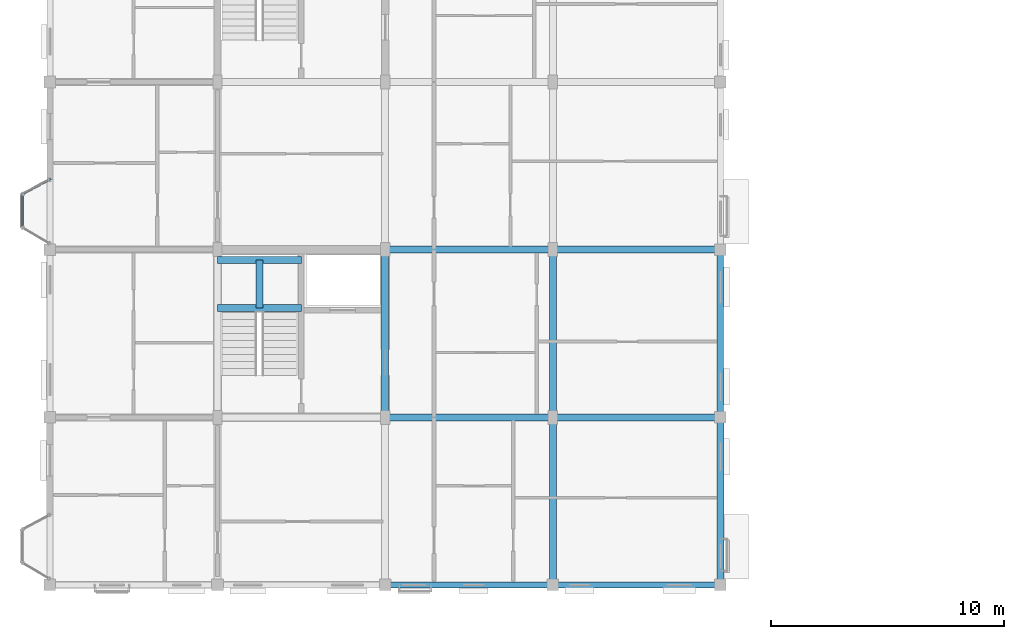
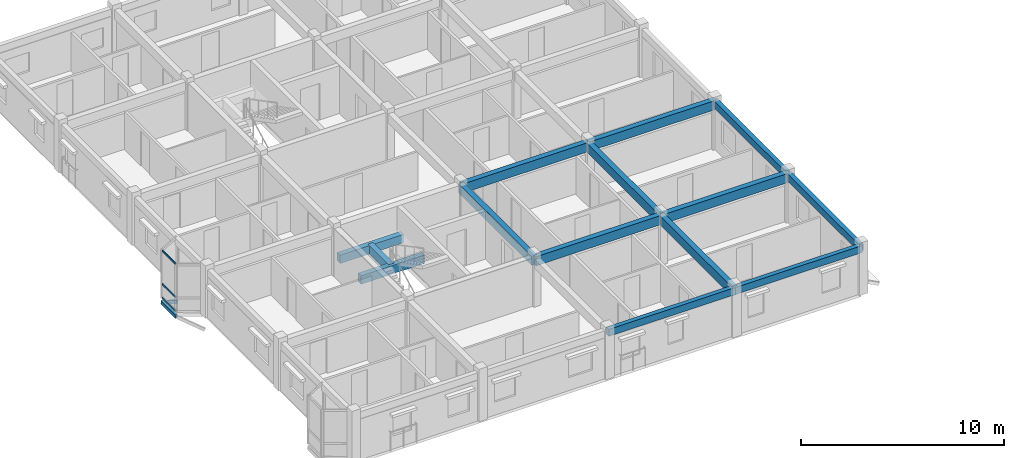
# One storey, part 6 of 38: 14 beams, 5 members, 1 element without a shape of its own.
"""IFC4 building model written with IfcOpenShell, lengths in metres."""

from ifc_helpers import new_model, si_unit, direction, frame, origin, origin_2d, place, context, subcontext, project, spatial, rectangle, hollow_rectangle, extrude, material, layer, layer_set, material_profile, profile_set, type_object, element, aggregate, save


model = new_model("IFC4")

# Units and contexts
model_context = context("Model", 3, precision=1e-05, world=origin(), true_north=direction((0.0, 1.0)))
body_context = subcontext(model_context, "Body", "Model", "MODEL_VIEW")
ifc_project = project(units=[si_unit("LENGTHUNIT", "METRE"), si_unit("AREAUNIT", "SQUARE_METRE"), si_unit("VOLUMEUNIT", "CUBIC_METRE"), si_unit("PLANEANGLEUNIT", "RADIAN"), si_unit("MASSUNIT", "GRAM", prefix="KILO"), si_unit("THERMODYNAMICTEMPERATUREUNIT", "KELVIN"), si_unit("POWERUNIT", "WATT")], contexts=[model_context])

# Site, building, storey
site_placement = place(None, origin())
site = spatial("IfcSite", under=ifc_project, at=site_placement, CompositionType="ELEMENT")
building_placement = place(site_placement, origin())
building = spatial("IfcBuilding", under=site, at=building_placement, Name="Tavuni Mirador Residences", CompositionType="ELEMENT")
storey_placement = place(building_placement, frame((0.0, 0.0, 32.85009765625)))
storey = spatial("IfcBuildingStorey", under=building, at=storey_placement, Name="L10", CompositionType="ELEMENT", Elevation=32.85009765625)

# Beams
ifc_material_1 = material(Name="Precast concrete C40/50", Category="concrete")
ifc_material_profile_1 = material_profile(ifc_material_1, rectangle(XDim=0.300048828125, YDim=0.5, at=origin_2d()), Name="PC 300x500", Category="concrete")
ifc_profile_set_1 = profile_set([ifc_material_profile_1], Name="Precast concrete C40/50")
beam_type_1 = type_object("IfcBeamType", Name="BT-B500", PredefinedType="BEAM", material=ifc_profile_set_1)
for number, where, z_axis, x_axis, name in (
    (1, (10.800048828125, 19.10009765625, 1.14501953125), (1.0, 0.0, 0.0), (0.0, 1.0, 0.0), "HLB1-C1-L10"),
    (2, (10.800048828125, 21.14990234375, 1.14501953125), (1.0, 0.0, 0.0), (0.0, 1.0, 0.0), "HLB2-C1-L10"),
):
    element("IfcBeam", number, at=place(storey_placement, frame(where, z_axis=z_axis, x_axis=x_axis)), inside=storey, type_object=beam_type_1, Name=name, PredefinedType="BEAM", context=body_context, shape_type="SweptSolid", body=[
        extrude(rectangle(XDim=0.300048828125, YDim=0.5, at=origin_2d()), origin(), (0.0, 0.0, 1.0), 3.599853515625),
    ])
beam_1_placement = place(storey_placement, frame((12.60009765625, 19.10009765625, 1.14501953125), z_axis=(0.0, 1.0, 0.0), x_axis=(-1.0, 0.0, 0.0)))
element("IfcBeam", 3, at=beam_1_placement, inside=storey, type_object=beam_type_1, Name="HLB3-C1-L10", PredefinedType="BEAM", context=body_context, shape_type="SweptSolid", body=[
    extrude(rectangle(XDim=0.300048828125, YDim=0.5, at=origin_2d()), origin(), (0.0, 0.0, 1.0), 2.0498046875),
])
ifc_material_profile_2 = material_profile(ifc_material_1, rectangle(XDim=0.300048828125, YDim=0.550048828125, at=origin_2d()), Name="PC 300x550", Category="concrete")
ifc_profile_set_2 = profile_set([ifc_material_profile_2], Name="Precast concrete C40/50")
beam_type_2 = type_object("IfcBeamType", Name="BT-B550", PredefinedType="BEAM", material=ifc_profile_set_2)
for number, where, z_axis, x_axis, name in (
    (4, (18.0, 14.39990234375, 2.594970703125), (1.0, 0.0, 0.0), (0.0, 1.0, 0.0), "BMX-BLK-A-L10-02-01"),
    (5, (25.199951171875, 14.39990234375, 2.594970703125), (1.0, 0.0, 0.0), (0.0, 1.0, 0.0), "BMX-BLK-A-L10-03-01"),
    (6, (18.0, 21.60009765625, 2.594970703125), (1.0, 0.0, 0.0), (0.0, 1.0, 0.0), "BMX-BLK-A-L10-02-02"),
    (7, (25.199951171875, 21.60009765625, 2.594970703125), (1.0, 0.0, 0.0), (0.0, 1.0, 0.0), "BMX-BLK-A-L10-03-02"),
):
    element("IfcBeam", number, at=place(storey_placement, frame(where, z_axis=z_axis, x_axis=x_axis)), inside=storey, type_object=beam_type_2, Name=name, PredefinedType="BEAM", context=body_context, shape_type="SweptSolid", body=[
        extrude(rectangle(XDim=0.300048828125, YDim=0.550048828125, at=origin_2d()), origin(), (0.0, 0.0, 1.0), 7.199951171875),
    ])
beam_2_placement = place(storey_placement, frame((18.0, 14.39990234375, 2.594970703125), z_axis=(0.0, 1.0, 0.0), x_axis=(-1.0, 0.0, 0.0)))
element("IfcBeam", 8, at=beam_2_placement, inside=storey, type_object=beam_type_2, Name="BMY-BLK-A-L10-02-01", PredefinedType="BEAM", context=body_context, shape_type="SweptSolid", body=[
    extrude(rectangle(XDim=0.300048828125, YDim=0.550048828125, at=origin_2d()), origin(), (0.0, 0.0, 1.0), 7.2001953125),
])
beam_3_placement = place(storey_placement, frame((25.199951171875, 7.199951171875, 2.594970703125), z_axis=(0.0, 1.0, 0.0), x_axis=(-1.0, 0.0, 0.0)))
element("IfcBeam", 9, at=beam_3_placement, inside=storey, type_object=beam_type_2, Name="BMY-BLK-A-L10-03-00", PredefinedType="BEAM", context=body_context, shape_type="SweptSolid", body=[
    extrude(rectangle(XDim=0.300048828125, YDim=0.550048828125, at=origin_2d()), origin(), (0.0, 0.0, 1.0), 7.199951171875),
])
beam_4_placement = place(storey_placement, frame((25.199951171875, 14.39990234375, 2.594970703125), z_axis=(0.0, 1.0, 0.0), x_axis=(-1.0, 0.0, 0.0)))
element("IfcBeam", 10, at=beam_4_placement, inside=storey, type_object=beam_type_2, Name="BMY-BLK-A-L10-03-01", PredefinedType="BEAM", context=body_context, shape_type="SweptSolid", body=[
    extrude(rectangle(XDim=0.300048828125, YDim=0.550048828125, at=origin_2d()), origin(), (0.0, 0.0, 1.0), 7.2001953125),
])
ifc_material_profile_3 = material_profile(ifc_material_1, rectangle(XDim=0.25, YDim=0.419921875, at=origin_2d()), Name="PC 250x420", Category="concrete")
ifc_profile_set_3 = profile_set([ifc_material_profile_3], Name="Precast concrete C40/50")
beam_type_3 = type_object("IfcBeamType", Name="BT-SP420", PredefinedType="SPANDREL", material=ifc_profile_set_3)
for number, where, z_axis, x_axis, name in (
    (11, (18.0, 7.199951171875, 2.659912109375), (1.0, 0.0, 0.0), (0.0, 1.0, 0.0), "BMX-BLK-A-L10-02-00"),
    (12, (25.199951171875, 7.199951171875, 2.659912109375), (1.0, 0.0, 0.0), (0.0, 1.0, 0.0), "BMX-BLK-A-L10-03-00"),
    (13, (32.39990234375, 7.199951171875, 2.659912109375), (0.0, 1.0, 0.0), (-1.0, 0.0, 0.0), "BMY-BLK-A-L10-04-00"),
):
    element("IfcBeam", number, at=place(storey_placement, frame(where, z_axis=z_axis, x_axis=x_axis)), inside=storey, type_object=beam_type_3, Name=name, PredefinedType="SPANDREL", context=body_context, shape_type="SweptSolid", body=[
        extrude(rectangle(XDim=0.25, YDim=0.419921875, at=origin_2d()), origin(), (0.0, 0.0, 1.0), 7.199951171875),
    ])
beam_5_placement = place(storey_placement, frame((32.39990234375, 14.39990234375, 2.659912109375), z_axis=(0.0, 1.0, 0.0), x_axis=(-1.0, 0.0, 0.0)))
element("IfcBeam", 14, at=beam_5_placement, inside=storey, type_object=beam_type_3, Name="BMY-BLK-A-L10-04-01", PredefinedType="SPANDREL", context=body_context, shape_type="SweptSolid", body=[
    extrude(rectangle(XDim=0.25, YDim=0.419921875, at=origin_2d()), origin(), (0.0, 0.0, 1.0), 7.2001953125),
])

# Curtain wall, members
ifc_material_2 = material(Name="Anodised aluminium", Category="aluminium")
ifc_layer = layer(ifc_material_2, 0.175048828125, Name="Anodised aluminium", Category="aluminium")
ifc_layer_set = layer_set([ifc_layer], Name="Anodised aluminium")
curtain_wall_type = type_object("IfcCurtainWallType", Name="CWT-MIR-C", PredefinedType="NOTDEFINED", material=ifc_layer_set)
curtain_wall_placement = place(storey_placement, origin())
curtain_wall = element("IfcCurtainWall", 15, at=curtain_wall_placement, inside=storey, type_object=curtain_wall_type, Name="CW-MIR-A-W2-L10-MF", PredefinedType="NOTDEFINED")
ifc_material_profile_4 = material_profile(ifc_material_2, hollow_rectangle(XDim=0.06005859375, YDim=0.110107421875, WallThickness=0.00390625, at=origin_2d()), Name="ALU 60x110x4.0", Category="aluminium")
ifc_profile_set_4 = profile_set([ifc_material_profile_4], Name="Anodised aluminium")
member_type_1 = type_object("IfcMemberType", Name="CWT-110", PredefinedType="USERDEFINED", material=ifc_profile_set_4)
member_1_placement = place(storey_placement, frame((2.39990234375, 23.919921875, 0.02978515625), z_axis=(0.0, -1.0, 0.0), x_axis=(1.0, 0.0, 0.0)))
member_1 = element("IfcMember", 16, at=member_1_placement, type_object=member_type_1, Name="CW-03 transom 1.1", ObjectType="TRANSOM", PredefinedType="USERDEFINED", context=body_context, shape_type="SweptSolid", body=[
    extrude(hollow_rectangle(XDim=0.06005859375, YDim=0.110107421875, WallThickness=0.00390625, at=origin_2d()), origin(), (0.0, 0.0, 1.0), 1.2998046875),
])
member_2_placement = place(storey_placement, frame((2.39990234375, 23.919921875, 0.849853515625), z_axis=(0.0, -1.0, 0.0), x_axis=(1.0, 0.0, 0.0)))
member_2 = element("IfcMember", 17, at=member_2_placement, type_object=member_type_1, Name="CW-03 transom 1.2", ObjectType="TRANSOM", PredefinedType="USERDEFINED", context=body_context, shape_type="SweptSolid", body=[
    extrude(hollow_rectangle(XDim=0.06005859375, YDim=0.110107421875, WallThickness=0.00390625, at=origin_2d()), origin(), (0.0, 0.0, 1.0), 1.2998046875),
])
member_3_placement = place(storey_placement, frame((2.39990234375, 23.919921875, 2.83984375), z_axis=(0.0, -1.0, 0.0), x_axis=(1.0, 0.0, 0.0)))
member_3 = element("IfcMember", 18, at=member_3_placement, type_object=member_type_1, Name="CW-03 transom 1.3", ObjectType="TRANSOM", PredefinedType="USERDEFINED", context=body_context, shape_type="SweptSolid", body=[
    extrude(hollow_rectangle(XDim=0.06005859375, YDim=0.110107421875, WallThickness=0.00390625, at=origin_2d()), origin(), (0.0, 0.0, 1.0), 1.2998046875),
])
aggregate(curtain_wall, [member_1, member_2, member_3])

# Members
ifc_material_3 = material(Name="Structural steel S355", Category="steel")
ifc_material_profile_5 = material_profile(ifc_material_3, hollow_rectangle(XDim=0.10009765625, YDim=0.179931640625, WallThickness=0.008056640625, at=origin_2d()), Name="RHS 180x100x8.0", Category="steel")
ifc_profile_set_5 = profile_set([ifc_material_profile_5], Name="Structural steel S355")
member_type_2 = type_object("IfcMemberType", Name="MT-BR-RHS180", PredefinedType="BRACE", material=ifc_profile_set_5)
member_4_placement = place(storey_placement, frame((3.60009765625, 24.6201171875, -1.050048828125), z_axis=(-0.767847080655, -0.409539268811, 0.492634192918), x_axis=(0.470606866739, -0.882343004153, 0.0)))
element("IfcMember", 19, at=member_4_placement, inside=storey, type_object=member_type_2, Name="MBRK-MIR-A-W2-L10-2", PredefinedType="BRACE", context=body_context, shape_type="SweptSolid", body=[
    extrude(hollow_rectangle(XDim=0.10009765625, YDim=0.179931640625, WallThickness=0.008056640625, at=origin_2d()), origin(), (0.0, 0.0, 1.0), 1.56298828125),
])
ifc_material_profile_6 = material_profile(ifc_material_3, hollow_rectangle(XDim=0.1201171875, YDim=0.199951171875, WallThickness=0.010009765625, at=origin_2d()), Name="RHS 200x120x10.0", Category="steel")
ifc_profile_set_6 = profile_set([ifc_material_profile_6], Name="Structural steel S355")
member_type_3 = type_object("IfcMemberType", Name="MT-ST-RHS200", PredefinedType="STRUT", material=ifc_profile_set_6)
member_5_placement = place(storey_placement, frame((2.39990234375, 22.56005859375, -0.280029296875), z_axis=(0.0, 1.0, 0.0), x_axis=(-1.0, 0.0, 0.0)))
element("IfcMember", 20, at=member_5_placement, inside=storey, type_object=member_type_3, Name="MRIM-MIR-A-W2-L10", PredefinedType="STRUT", context=body_context, shape_type="SweptSolid", body=[
    extrude(hollow_rectangle(XDim=0.1201171875, YDim=0.199951171875, WallThickness=0.010009765625, at=origin_2d()), origin(), (0.0, 0.0, 1.0), 1.419921875),
])

save(model, "model.ifc")
